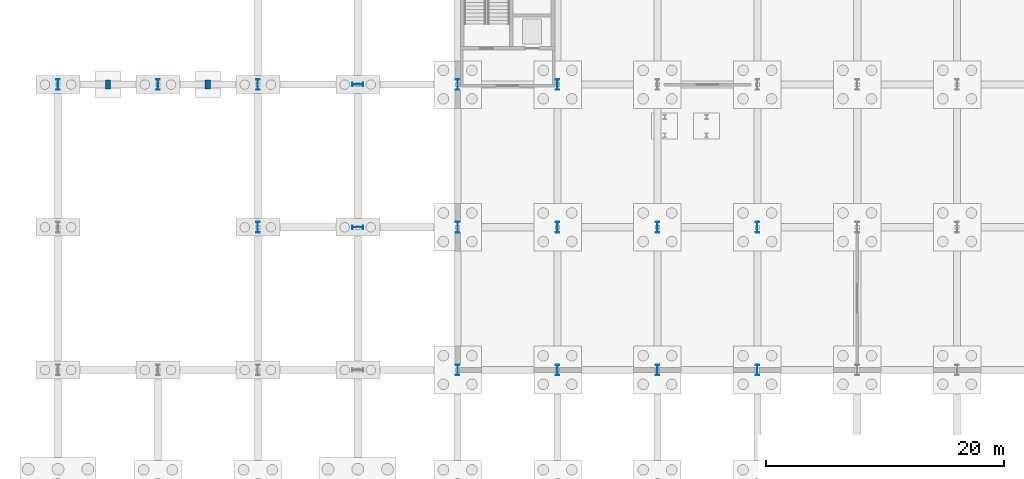
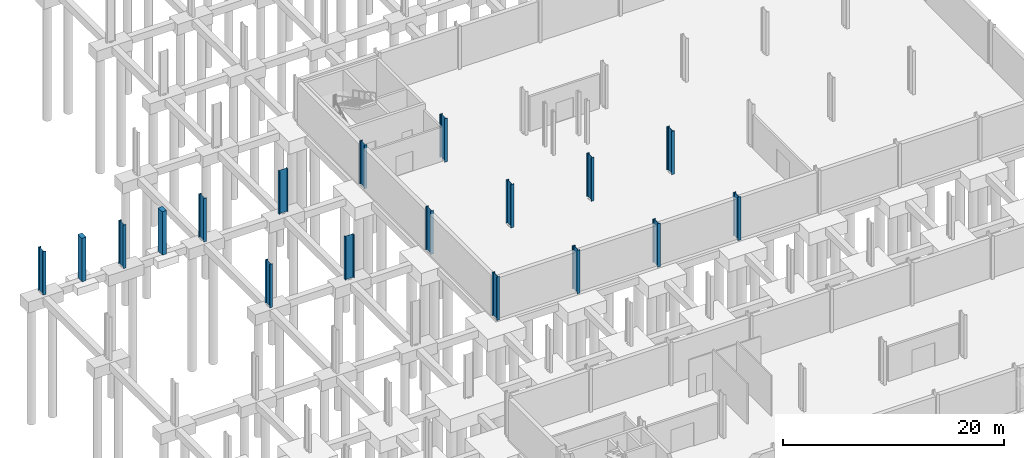
# One storey, part 9 of 29: 18 columns.
"""IFC4 building model written with IfcOpenShell, lengths in metres."""

from ifc_helpers import new_model, si_unit, direction, frame, origin, origin_2d, place, context, subcontext, project, spatial, rectangle, i_section, extrude, material, material_profile, profile_set, type_object, element, save


model = new_model("IFC4")

# Units and contexts
model_context = context("Model", 3, precision=1e-05, world=origin(), true_north=direction((0.0, 1.0)))
body_context = subcontext(model_context, "Body", "Model", "MODEL_VIEW")
ifc_project = project(units=[si_unit("LENGTHUNIT", "METRE"), si_unit("AREAUNIT", "SQUARE_METRE"), si_unit("VOLUMEUNIT", "CUBIC_METRE"), si_unit("PLANEANGLEUNIT", "RADIAN"), si_unit("MASSUNIT", "GRAM", prefix="KILO")], contexts=[model_context])

# Site, building, storey
site_placement = place(None, origin())
site = spatial("IfcSite", under=ifc_project, at=site_placement, CompositionType="ELEMENT")
building_placement = place(site_placement, origin())
building = spatial("IfcBuilding", under=site, at=building_placement, Name="Veltarok Museum of Natural Sciences", CompositionType="ELEMENT")
storey_placement = place(building_placement, frame((0.0, 0.0, -4.800048828125)))
storey = spatial("IfcBuildingStorey", under=building, at=storey_placement, Name="B1", CompositionType="ELEMENT", Elevation=-4.800048828125)

# Columns
ifc_material_1 = material(Name="Concrete C40/50", Category="concrete")
ifc_material_profile_1 = material_profile(ifc_material_1, rectangle(XDim=0.449951171875, YDim=0.75, at=origin_2d()), Name="RC 450x750")
ifc_profile_set_1 = profile_set([ifc_material_profile_1], Name="Concrete C40/50")
column_type_1 = type_object("IfcColumnType", Name="Cabinet Facade Pilaster RC 450x750", PredefinedType="PILASTER", material=ifc_profile_set_1)
for number, where, z_axis, x_axis, name in (
    (1, (10.60009765625, 60.0, 0.0), (0.0, 0.0, 1.0), (1.0, 0.0, 0.0), "Auditorium North Pilaster B1-1"),
    (2, (19.0, 60.0, 0.0), (0.0, 0.0, 1.0), (1.0, 0.0, 0.0), "Auditorium North Pilaster B1-2"),
):
    element("IfcColumn", number, at=place(storey_placement, frame(where, z_axis=z_axis, x_axis=x_axis)), inside=storey, type_object=column_type_1, Name=name, PredefinedType="PILASTER", context=body_context, shape_type="SweptSolid", body=[
        extrude(rectangle(XDim=0.449951171875, YDim=0.75, at=origin_2d()), origin(), (0.0, 0.0, 1.0), 4.800048828125),
    ])
ifc_material_2 = material(Name="Steel S355J2", Category="steel")
ifc_material_profile_2 = material_profile(ifc_material_2, i_section(OverallWidth=0.300048828125, OverallDepth=0.89990234375, WebThickness=0.0185546875, FlangeThickness=0.034912109375, FilletRadius=0.030029296875, at=origin_2d()), Name="HEB 900")
ifc_profile_set_2 = profile_set([ifc_material_profile_2], Name="Steel S355J2")
column_type_2 = type_object("IfcColumnType", Name="Heavy Hall Column HEB 900", PredefinedType="COLUMN", material=ifc_profile_set_2)
for number, where, z_axis, x_axis, name in (
    (3, (6.39990234375, 60.0, 0.0), (0.0, 0.0, 1.0), (1.0, 0.0, 0.0), "Column COL-S01 B1 1/G"),
    (4, (14.800048828125, 60.0, 0.0), (0.0, 0.0, 1.0), (1.0, 0.0, 0.0), "Column COL-S01 B1 2/G"),
    (5, (23.199951171875, 48.0, 0.0), (0.0, 0.0, 1.0), (1.0, 0.0, 0.0), "Column COL-S01 B1 3/F"),
    (6, (23.199951171875, 60.0, 0.0), (0.0, 0.0, 1.0), (1.0, 0.0, 0.0), "Column COL-S01 B1 3/G"),
    (7, (31.60009765625, 48.0, 0.0), (0.0, 0.0, 1.0), (0.0, 1.0, 0.0), "Column COL-S01 B1 4/F"),
    (8, (31.60009765625, 60.0, 0.0), (0.0, 0.0, 1.0), (0.0, 1.0, 0.0), "Column COL-S01 B1 4/G"),
    (9, (40.0, 36.0, 0.0), (0.0, 0.0, 1.0), (1.0, 0.0, 0.0), "Column COL-S01 B1 5/E"),
    (10, (40.0, 48.0, 0.0), (0.0, 0.0, 1.0), (1.0, 0.0, 0.0), "Column COL-S01 B1 5/F"),
    (11, (40.0, 60.0, 0.0), (0.0, 0.0, 1.0), (1.0, 0.0, 0.0), "Column COL-S01 B1 5/G"),
    (12, (48.39990234375, 36.0, 0.0), (0.0, 0.0, 1.0), (1.0, 0.0, 0.0), "Column COL-S01 B1 6/E"),
    (13, (48.39990234375, 48.0, 0.0), (0.0, 0.0, 1.0), (1.0, 0.0, 0.0), "Column COL-S01 B1 6/F"),
    (14, (48.39990234375, 60.0, 0.0), (0.0, 0.0, 1.0), (1.0, 0.0, 0.0), "Column COL-S01 B1 6/G"),
    (15, (56.800048828125, 36.0, 0.0), (0.0, 0.0, 1.0), (1.0, 0.0, 0.0), "Column COL-S01 B1 7/E"),
    (16, (56.800048828125, 48.0, 0.0), (0.0, 0.0, 1.0), (1.0, 0.0, 0.0), "Column COL-S01 B1 7/F"),
    (17, (65.199951171875, 36.0, 0.0), (0.0, 0.0, 1.0), (1.0, 0.0, 0.0), "Column COL-S01 B1 8/E"),
    (18, (65.199951171875, 48.0, 0.0), (0.0, 0.0, 1.0), (1.0, 0.0, 0.0), "Column COL-S01 B1 8/F"),
):
    element("IfcColumn", number, at=place(storey_placement, frame(where, z_axis=z_axis, x_axis=x_axis)), inside=storey, type_object=column_type_2, Name=name, PredefinedType="COLUMN", context=body_context, shape_type="SweptSolid", body=[
        extrude(i_section(OverallWidth=0.300048828125, OverallDepth=0.89990234375, WebThickness=0.0185546875, FlangeThickness=0.034912109375, FilletRadius=0.030029296875, at=origin_2d()), origin(), (0.0, 0.0, 1.0), 4.800048828125),
    ])

save(model, "model.ifc")
